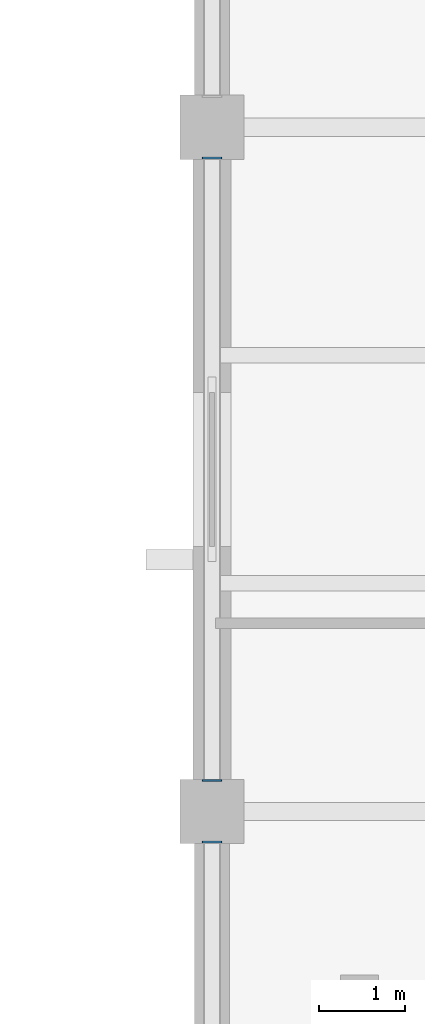
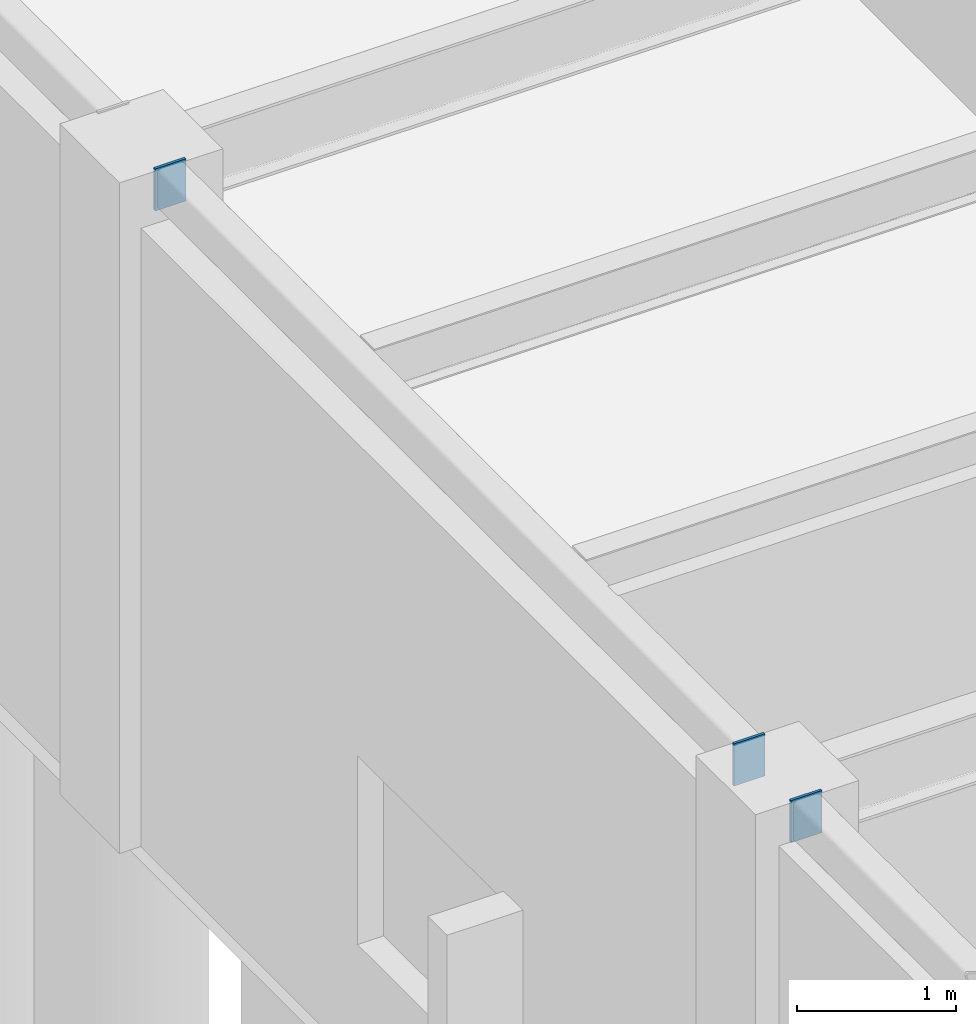
# One storey, part 101 of 138: 3 discrete accessories.
"""IFC4 building model written with IfcOpenShell, lengths in metres."""

from ifc_helpers import new_model, si_unit, direction, frame, origin, origin_2d, place, context, subcontext, project, spatial, rectangle, extrude, material, layer, layer_set, type_object, element, save


model = new_model("IFC4")

# Units and contexts
model_context = context("Model", 3, precision=1e-05, world=origin(), true_north=direction((0.0, 1.0)))
body_context = subcontext(model_context, "Body", "Model", "MODEL_VIEW")
ifc_project = project(units=[si_unit("LENGTHUNIT", "METRE"), si_unit("AREAUNIT", "SQUARE_METRE"), si_unit("VOLUMEUNIT", "CUBIC_METRE"), si_unit("PLANEANGLEUNIT", "RADIAN"), si_unit("MASSUNIT", "GRAM", prefix="KILO")], contexts=[model_context])

# Site, building, storey
site_placement = place(None, origin())
site = spatial("IfcSite", under=ifc_project, at=site_placement, CompositionType="ELEMENT")
building_placement = place(site_placement, origin())
building = spatial("IfcBuilding", under=site, at=building_placement, Name="Kranzveld Transit Interchange", CompositionType="ELEMENT")
storey_placement = place(building_placement, origin())
storey = spatial("IfcBuildingStorey", under=building, at=storey_placement, Name="L00", CompositionType="ELEMENT", Elevation=0.0)

# Discrete accessories
ifc_material = material(Name="Steel S355JR", Category="steel")
ifc_layer = layer(ifc_material, 0.02001953125)
ifc_layer_set = layer_set([ifc_layer], Name="Steel S355JR")
discrete_accessory_type = type_object("IfcDiscreteAccessoryType", Name="Hollow Section End Cap Bracket 20 S355JR", PredefinedType="BRACKET", material=ifc_layer_set)
for number, where, z_axis, x_axis, name in (
    (1, (0.0, 87.631103515625, 5.0), (0.0, 1.0, 0.0), (-1.0, 0.0, 0.0), "Hollow Section End Cap SP-RHS300-2"),
    (2, (0.0, 88.368896484375, 5.0), (0.0, -1.0, 0.0), (1.0, 0.0, 0.0), "Hollow Section End Cap SP-RHS300-1"),
    (3, (0.0, 95.631103515625, 5.0), (0.0, 1.0, 0.0), (-1.0, 0.0, 0.0), "Hollow Section End Cap SP-RHS300-2"),
):
    element("IfcDiscreteAccessory", number, at=place(storey_placement, frame(where, z_axis=z_axis, x_axis=x_axis)), inside=storey, type_object=discrete_accessory_type, Name=name, PredefinedType="BRACKET", context=body_context, shape_type="SweptSolid", body=[
        extrude(rectangle(XDim=0.22412109375, YDim=0.323974609375, at=origin_2d()), origin(), (0.0, 0.0, 1.0), 0.019775390625),
    ])

save(model, "model.ifc")
